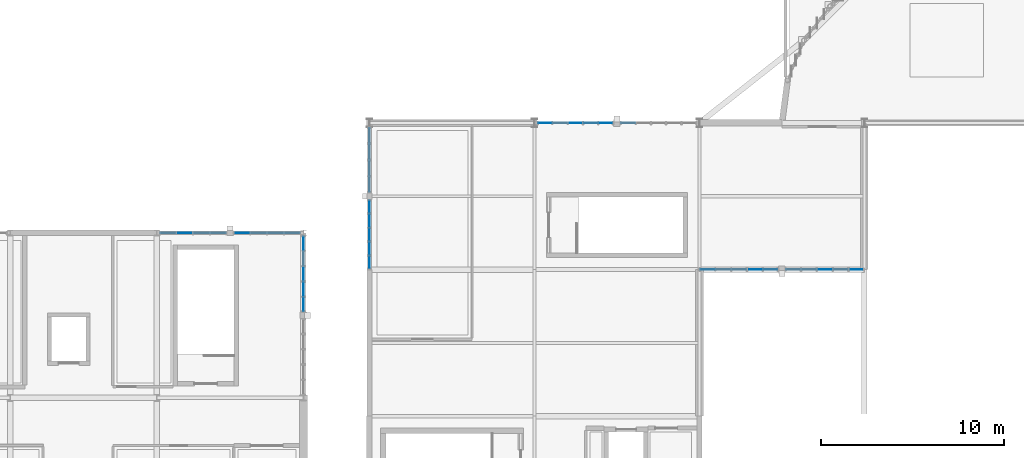
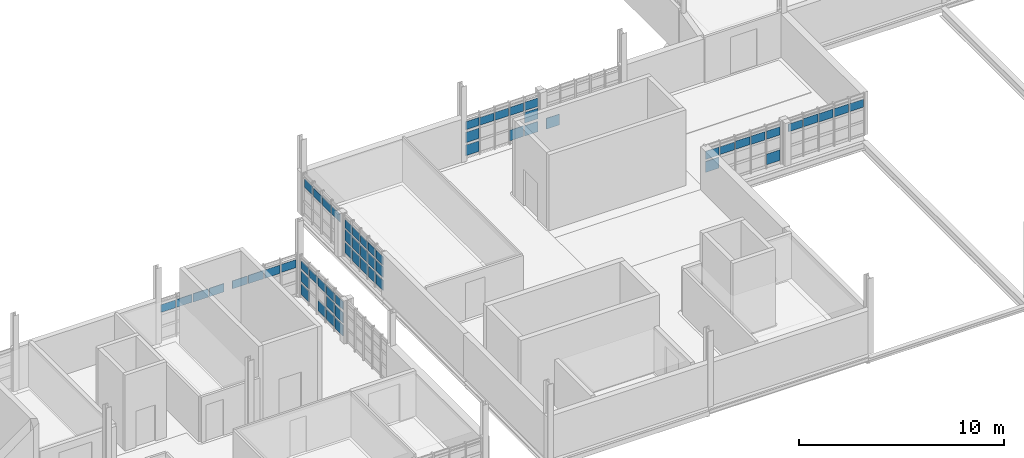
# One storey, part 32 of 44: 62 plates, 9 elements without a shape of their own.
"""IFC4 building model written with IfcOpenShell, lengths in metres."""

from ifc_helpers import new_model, si_unit, direction, frame, origin, origin_2d, place, context, subcontext, project, spatial, rectangle, extrude, material, layer, layer_set, type_object, element, aggregate, save


model = new_model("IFC4")

# Units and contexts
model_context = context("Model", 3, precision=1e-05, world=origin(), true_north=direction((0.0, 1.0)))
body_context = subcontext(model_context, "Body", "Model", "MODEL_VIEW")
ifc_project = project(units=[si_unit("LENGTHUNIT", "METRE"), si_unit("AREAUNIT", "SQUARE_METRE"), si_unit("VOLUMEUNIT", "CUBIC_METRE"), si_unit("PLANEANGLEUNIT", "RADIAN"), si_unit("MASSUNIT", "GRAM", prefix="KILO")], contexts=[model_context])

# Site, building, storey
site_placement = place(None, origin())
site = spatial("IfcSite", under=ifc_project, at=site_placement, CompositionType="ELEMENT")
building_placement = place(site_placement, origin())
building = spatial("IfcBuilding", under=site, at=building_placement, Name="Serraforn Aerial Cableway Station", CompositionType="ELEMENT")
storey_placement = place(building_placement, frame((0.0, 0.0, 13.800048828125)))
storey = spatial("IfcBuildingStorey", under=building, at=storey_placement, Name="L03", CompositionType="ELEMENT", Elevation=13.800048828125)

# Curtain wall, plates
ifc_material_1 = material(Name="Anodised bronze unitised curtain wall")
curtain_wall_type_1 = type_object("IfcCurtainWallType", Name="CW-SYS-18", PredefinedType="USERDEFINED", material=ifc_material_1)
curtain_wall_1_placement = place(storey_placement, origin())
curtain_wall_1 = element("IfcCurtainWall", 1, at=curtain_wall_1_placement, inside=storey, type_object=curtain_wall_type_1, Name="Unitised Curtain Wall CW-W-L03-E2B", ObjectType="UNITISED CURTAIN WALL", PredefinedType="USERDEFINED")
ifc_material_2 = material(Name="Solar-control low-E double glazing", Category="glass")
ifc_layer_1 = layer(ifc_material_2, 0.02587890625)
ifc_layer_set_1 = layer_set([ifc_layer_1], Name="Solar-control low-E double glazing")
plate_type_1 = type_object("IfcPlateType", Name="CW-GLZ-1", PredefinedType="CURTAIN_PANEL", material=ifc_layer_set_1)
plate_1_placement = place(storey_placement, frame((24.0, 32.111083984375, 1.71240234375), z_axis=(0.0, 0.0, 1.0), x_axis=(1.0, 0.0, 0.0)))
plate_1 = element("IfcPlate", 2, at=plate_1_placement, type_object=plate_type_1, Name="Curtain Wall Panel CW-W-L03-E2B-P1-3", PredefinedType="CURTAIN_PANEL", context=body_context, shape_type="SweptSolid", body=[
    extrude(rectangle(XDim=0.02587890625, YDim=0.745849609375, at=origin_2d()), origin(), (0.0, 0.0, 1.0), 0.478515625),
])
plate_2_placement = place(storey_placement, frame((24.0, 32.930419921875, 0.947265625), z_axis=(0.0, 0.0, 1.0), x_axis=(1.0, 0.0, 0.0)))
plate_2 = element("IfcPlate", 3, at=plate_2_placement, type_object=plate_type_1, Name="Curtain Wall Panel CW-W-L03-E2B-P2-2", PredefinedType="CURTAIN_PANEL", context=body_context, shape_type="SweptSolid", body=[
    extrude(rectangle(XDim=0.02587890625, YDim=0.77099609375, at=origin_2d()), origin(), (0.0, 0.0, 1.0), 0.631591796875),
])
plate_3_placement = place(storey_placement, frame((24.0, 33.7646484375, 0.18212890625), z_axis=(0.0, 0.0, 1.0), x_axis=(1.0, 0.0, 0.0)))
plate_3 = element("IfcPlate", 4, at=plate_3_placement, type_object=plate_type_1, Name="Curtain Wall Panel CW-W-L03-E2B-P3-1", PredefinedType="CURTAIN_PANEL", context=body_context, shape_type="SweptSolid", body=[
    extrude(rectangle(XDim=0.02587890625, YDim=0.765869140625, at=origin_2d()), origin(), (0.0, 0.0, 1.0), 0.631591796875),
])

# Curtain wall, plate
curtain_wall_type_2 = type_object("IfcCurtainWallType", Name="CW-SYS-16", PredefinedType="USERDEFINED", material=ifc_material_1)
curtain_wall_2_placement = place(storey_placement, origin())
curtain_wall_2 = element("IfcCurtainWall", 5, at=curtain_wall_2_placement, inside=storey, type_object=curtain_wall_type_2, Name="Unitised Curtain Wall CW-CV-L03-W3B", ObjectType="UNITISED CURTAIN WALL", PredefinedType="USERDEFINED")
plate_4_placement = place(storey_placement, frame((27.60009765625, 37.421875, 0.18212890625), z_axis=(0.0, 0.0, 1.0), x_axis=(1.0, 0.0, 0.0)))
plate_4 = element("IfcPlate", 6, at=plate_4_placement, type_object=plate_type_1, Name="Curtain Wall Panel CW-CV-L03-W3B-P1-1", PredefinedType="CURTAIN_PANEL", context=body_context, shape_type="SweptSolid", body=[
    extrude(rectangle(XDim=0.02587890625, YDim=0.660400390625, at=origin_2d()), origin(), (0.0, 0.0, 1.0), 0.631591796875),
])

curtain_wall_3_placement = place(storey_placement, origin())
curtain_wall_3 = element("IfcCurtainWall", 7, at=curtain_wall_3_placement, inside=storey, type_object=curtain_wall_type_1, Name="Unitised Curtain Wall CW-CV-L03-S3B", ObjectType="UNITISED CURTAIN WALL", PredefinedType="USERDEFINED")
plate_5_placement = place(storey_placement, frame((54.1591796875, 34.0, 1.69775390625), z_axis=(0.0, 0.0, 1.0), x_axis=(1.0, 0.0, 0.0)))
plate_5 = element("IfcPlate", 8, at=plate_5_placement, type_object=plate_type_1, Name="Curtain Wall Panel CW-CV-L03-S3B-P5-3", PredefinedType="CURTAIN_PANEL", context=body_context, shape_type="SweptSolid", body=[
    extrude(rectangle(XDim=0.775390625, YDim=0.02587890625, at=origin_2d()), origin(), (0.0, 0.0, 1.0), 0.473388671875),
])

# Curtain wall, plates
curtain_wall_type_3 = type_object("IfcCurtainWallType", Name="CW-SYS-20", PredefinedType="USERDEFINED", material=ifc_material_1)
curtain_wall_4_placement = place(storey_placement, origin())
curtain_wall_4 = element("IfcCurtainWall", 9, at=curtain_wall_4_placement, inside=storey, type_object=curtain_wall_type_3, Name="Unitised Curtain Wall CW-CV-L03-N2B", ObjectType="UNITISED CURTAIN WALL", PredefinedType="USERDEFINED")
plate_6_placement = place(storey_placement, frame((38.8291015625, 42.0, 1.69775390625), z_axis=(0.0, 0.0, 1.0), x_axis=(1.0, 0.0, 0.0)))
plate_6 = element("IfcPlate", 10, at=plate_6_placement, type_object=plate_type_1, Name="Curtain Wall Panel CW-CV-L03-N2B-P3-3", PredefinedType="CURTAIN_PANEL", context=body_context, shape_type="SweptSolid", body=[
    extrude(rectangle(XDim=0.7734375, YDim=0.02587890625, at=origin_2d()), origin(), (0.0, 0.0, 1.0), 0.473388671875),
])
plate_7_placement = place(storey_placement, frame((37.1826171875, 42.0, 0.16748046875), z_axis=(0.0, 0.0, 1.0), x_axis=(1.0, 0.0, 0.0)))
plate_7 = element("IfcPlate", 11, at=plate_7_placement, type_object=plate_type_1, Name="Curtain Wall Panel CW-CV-L03-N2B-P5-1", PredefinedType="CURTAIN_PANEL", context=body_context, shape_type="SweptSolid", body=[
    extrude(rectangle(XDim=0.743408203125, YDim=0.02587890625, at=origin_2d()), origin(), (0.0, 0.0, 1.0), 0.62646484375),
])

# Plate
ifc_layer_2 = layer(ifc_material_2, 0.028076171875)
ifc_layer_set_2 = layer_set([ifc_layer_2], Name="Solar-control low-E double glazing")
plate_type_2 = type_object("IfcPlateType", Name="CW-GLZ-2", PredefinedType="CURTAIN_PANEL", material=ifc_layer_set_2)
plate_8_placement = place(storey_placement, frame((24.0, 32.930419921875, 1.68505859375), z_axis=(0.0, 0.0, 1.0), x_axis=(1.0, 0.0, 0.0)))
plate_8 = element("IfcPlate", 12, at=plate_8_placement, type_object=plate_type_2, Name="Curtain Wall Panel CW-W-L03-E2B-P2-3", PredefinedType="CURTAIN_PANEL", context=body_context, shape_type="SweptSolid", body=[
    extrude(rectangle(XDim=0.028076171875, YDim=0.77099609375, at=origin_2d()), origin(), (0.0, 0.0, 1.0), 0.5009765625),
])

# Curtain wall, plate
curtain_wall_type_4 = type_object("IfcCurtainWallType", Name="CW-SYS-15", PredefinedType="USERDEFINED", material=ifc_material_1)
curtain_wall_5_placement = place(storey_placement, origin())
curtain_wall_5 = element("IfcCurtainWall", 13, at=curtain_wall_5_placement, inside=storey, type_object=curtain_wall_type_4, Name="Unitised Curtain Wall CW-CV-L03-W3A", ObjectType="UNITISED CURTAIN WALL", PredefinedType="USERDEFINED")
plate_9_placement = place(storey_placement, frame((27.60009765625, 41.3125, 1.68505859375), z_axis=(0.0, 0.0, 1.0), x_axis=(1.0, 0.0, 0.0)))
plate_9 = element("IfcPlate", 14, at=plate_9_placement, type_object=plate_type_2, Name="Curtain Wall Panel CW-CV-L03-W3A-P1-3", PredefinedType="CURTAIN_PANEL", context=body_context, shape_type="SweptSolid", body=[
    extrude(rectangle(XDim=0.028076171875, YDim=0.80322265625, at=origin_2d()), origin(), (0.0, 0.0, 1.0), 0.5009765625),
])

# Plate
plate_10_placement = place(storey_placement, frame((27.60009765625, 37.421875, 0.919921875), z_axis=(0.0, 0.0, 1.0), x_axis=(1.0, 0.0, 0.0)))
plate_10 = element("IfcPlate", 15, at=plate_10_placement, type_object=plate_type_2, Name="Curtain Wall Panel CW-CV-L03-W3B-P1-2", PredefinedType="CURTAIN_PANEL", context=body_context, shape_type="SweptSolid", body=[
    extrude(rectangle(XDim=0.028076171875, YDim=0.660400390625, at=origin_2d()), origin(), (0.0, 0.0, 1.0), 0.654052734375),
])

plate_11_placement = place(storey_placement, frame((27.60009765625, 36.6689453125, 0.15478515625), z_axis=(0.0, 0.0, 1.0), x_axis=(1.0, 0.0, 0.0)))
plate_11 = element("IfcPlate", 16, at=plate_11_placement, type_object=plate_type_2, Name="Curtain Wall Panel CW-CV-L03-W3B-P2-1", PredefinedType="CURTAIN_PANEL", context=body_context, shape_type="SweptSolid", body=[
    extrude(rectangle(XDim=0.028076171875, YDim=0.702880859375, at=origin_2d()), origin(), (0.0, 0.0, 1.0), 0.654052734375),
])

plate_12_placement = place(storey_placement, frame((38.000732421875, 42.0, 1.704833984375), z_axis=(0.0, 0.0, 1.0), x_axis=(1.0, 0.0, 0.0)))
plate_12 = element("IfcPlate", 17, at=plate_12_placement, type_object=plate_type_2, Name="Curtain Wall Panel CW-CV-L03-N2B-P4-3", PredefinedType="CURTAIN_PANEL", context=body_context, shape_type="SweptSolid", body=[
    extrude(rectangle(XDim=0.781005859375, YDim=0.028076171875, at=origin_2d()), origin(), (0.0, 0.0, 1.0), 0.45849609375),
])

plate_13_placement = place(storey_placement, frame((37.1826171875, 42.0, 0.93994140625), z_axis=(0.0, 0.0, 1.0), x_axis=(1.0, 0.0, 0.0)))
plate_13 = element("IfcPlate", 18, at=plate_13_placement, type_object=plate_type_2, Name="Curtain Wall Panel CW-CV-L03-N2B-P5-2", PredefinedType="CURTAIN_PANEL", context=body_context, shape_type="SweptSolid", body=[
    extrude(rectangle(XDim=0.743408203125, YDim=0.028076171875, at=origin_2d()), origin(), (0.0, 0.0, 1.0), 0.611572265625),
])

ifc_layer_3 = layer(ifc_material_2, 0.030029296875)
ifc_layer_set_3 = layer_set([ifc_layer_3], Name="Solar-control low-E double glazing")
plate_type_3 = type_object("IfcPlateType", Name="CW-GLZ-3", PredefinedType="CURTAIN_PANEL", material=ifc_layer_set_3)
plate_14_placement = place(storey_placement, frame((24.0, 33.7646484375, 1.68994140625), z_axis=(0.0, 0.0, 1.0), x_axis=(1.0, 0.0, 0.0)))
plate_14 = element("IfcPlate", 19, at=plate_14_placement, type_object=plate_type_3, Name="Curtain Wall Panel CW-W-L03-E2B-P3-3", PredefinedType="CURTAIN_PANEL", context=body_context, shape_type="SweptSolid", body=[
    extrude(rectangle(XDim=0.030029296875, YDim=0.765869140625, at=origin_2d()), origin(), (0.0, 0.0, 1.0), 0.488525390625),
])

plate_15_placement = place(storey_placement, frame((24.0, 35.41845703125, 0.159912109375), z_axis=(0.0, 0.0, 1.0), x_axis=(1.0, 0.0, 0.0)))
plate_15 = element("IfcPlate", 20, at=plate_15_placement, type_object=plate_type_3, Name="Curtain Wall Panel CW-W-L03-E2B-P5-1", PredefinedType="CURTAIN_PANEL", context=body_context, shape_type="SweptSolid", body=[
    extrude(rectangle(XDim=0.030029296875, YDim=0.7509765625, at=origin_2d()), origin(), (0.0, 0.0, 1.0), 0.6416015625),
])

plate_16_placement = place(storey_placement, frame((27.60009765625, 40.429443359375, 1.68994140625), z_axis=(0.0, 0.0, 1.0), x_axis=(1.0, 0.0, 0.0)))
plate_16 = element("IfcPlate", 21, at=plate_16_placement, type_object=plate_type_3, Name="Curtain Wall Panel CW-CV-L03-W3A-P2-3", PredefinedType="CURTAIN_PANEL", context=body_context, shape_type="SweptSolid", body=[
    extrude(rectangle(XDim=0.030029296875, YDim=0.830810546875, at=origin_2d()), origin(), (0.0, 0.0, 1.0), 0.488525390625),
])

plate_17_placement = place(storey_placement, frame((27.60009765625, 37.421875, 1.68994140625), z_axis=(0.0, 0.0, 1.0), x_axis=(1.0, 0.0, 0.0)))
plate_17 = element("IfcPlate", 22, at=plate_17_placement, type_object=plate_type_3, Name="Curtain Wall Panel CW-CV-L03-W3B-P1-3", PredefinedType="CURTAIN_PANEL", context=body_context, shape_type="SweptSolid", body=[
    extrude(rectangle(XDim=0.030029296875, YDim=0.660400390625, at=origin_2d()), origin(), (0.0, 0.0, 1.0), 0.488525390625),
])

plate_18_placement = place(storey_placement, frame((27.60009765625, 36.6689453125, 0.9248046875), z_axis=(0.0, 0.0, 1.0), x_axis=(1.0, 0.0, 0.0)))
plate_18 = element("IfcPlate", 23, at=plate_18_placement, type_object=plate_type_3, Name="Curtain Wall Panel CW-CV-L03-W3B-P2-2", PredefinedType="CURTAIN_PANEL", context=body_context, shape_type="SweptSolid", body=[
    extrude(rectangle(XDim=0.030029296875, YDim=0.702880859375, at=origin_2d()), origin(), (0.0, 0.0, 1.0), 0.6416015625),
])

plate_19_placement = place(storey_placement, frame((27.60009765625, 35.911376953125, 0.159912109375), z_axis=(0.0, 0.0, 1.0), x_axis=(1.0, 0.0, 0.0)))
plate_19 = element("IfcPlate", 24, at=plate_19_placement, type_object=plate_type_3, Name="Curtain Wall Panel CW-CV-L03-W3B-P3-1", PredefinedType="CURTAIN_PANEL", context=body_context, shape_type="SweptSolid", body=[
    extrude(rectangle(XDim=0.030029296875, YDim=0.71044921875, at=origin_2d()), origin(), (0.0, 0.0, 1.0), 0.6416015625),
])

# Curtain wall, plate
curtain_wall_type_5 = type_object("IfcCurtainWallType", Name="CW-SYS-17", PredefinedType="USERDEFINED", material=ifc_material_1)
curtain_wall_6_placement = place(storey_placement, origin())
curtain_wall_6 = element("IfcCurtainWall", 25, at=curtain_wall_6_placement, inside=storey, type_object=curtain_wall_type_5, Name="Unitised Curtain Wall CW-CV-L03-S3A", ObjectType="UNITISED CURTAIN WALL", PredefinedType="USERDEFINED")
plate_20_placement = place(storey_placement, frame((46.055908203125, 34.0, 0.9248046875), z_axis=(0.0, 0.0, 1.0), x_axis=(1.0, 0.0, 0.0)))
plate_20 = element("IfcPlate", 26, at=plate_20_placement, type_object=plate_type_3, Name="Curtain Wall Panel CW-CV-L03-S3A-P1-2", PredefinedType="CURTAIN_PANEL", context=body_context, shape_type="SweptSolid", body=[
    extrude(rectangle(XDim=0.765380859375, YDim=0.030029296875, at=origin_2d()), origin(), (0.0, 0.0, 1.0), 0.6416015625),
])

# Plate
plate_21_placement = place(storey_placement, frame((37.1826171875, 42.0, 1.71240234375), z_axis=(0.0, 0.0, 1.0), x_axis=(1.0, 0.0, 0.0)))
plate_21 = element("IfcPlate", 27, at=plate_21_placement, type_object=plate_type_3, Name="Curtain Wall Panel CW-CV-L03-N2B-P5-3", PredefinedType="CURTAIN_PANEL", context=body_context, shape_type="SweptSolid", body=[
    extrude(rectangle(XDim=0.743408203125, YDim=0.030029296875, at=origin_2d()), origin(), (0.0, 0.0, 1.0), 0.478515625),
])

# Curtain wall, plate
curtain_wall_type_6 = type_object("IfcCurtainWallType", Name="CW-SYS-13", PredefinedType="USERDEFINED", material=ifc_material_1)
curtain_wall_7_placement = place(storey_placement, origin())
curtain_wall_7 = element("IfcCurtainWall", 28, at=curtain_wall_7_placement, inside=storey, type_object=curtain_wall_type_6, Name="Unitised Curtain Wall CW-W-L03-N3A", ObjectType="UNITISED CURTAIN WALL", PredefinedType="USERDEFINED")
ifc_layer_4 = layer(ifc_material_2, 0.031982421875)
ifc_layer_set_4 = layer_set([ifc_layer_4], Name="Solar-control low-E double glazing")
plate_type_4 = type_object("IfcPlateType", Name="CW-GLZ-4", PredefinedType="CURTAIN_PANEL", material=ifc_layer_set_4)
plate_22_placement = place(storey_placement, frame((23.379150390625, 36.0, 1.71240234375), z_axis=(0.0, 0.0, 1.0), x_axis=(1.0, 0.0, 0.0)))
plate_22 = element("IfcPlate", 29, at=plate_22_placement, type_object=plate_type_4, Name="Curtain Wall Panel CW-W-L03-N3A-P1-3", PredefinedType="CURTAIN_PANEL", context=body_context, shape_type="SweptSolid", body=[
    extrude(rectangle(XDim=0.82958984375, YDim=0.031982421875, at=origin_2d()), origin(), (0.0, 0.0, 1.0), 0.478515625),
])

# Plate
plate_23_placement = place(storey_placement, frame((24.0, 34.60546875, 1.69775390625), z_axis=(0.0, 0.0, 1.0), x_axis=(1.0, 0.0, 0.0)))
plate_23 = element("IfcPlate", 30, at=plate_23_placement, type_object=plate_type_4, Name="Curtain Wall Panel CW-W-L03-E2B-P4-3", PredefinedType="CURTAIN_PANEL", context=body_context, shape_type="SweptSolid", body=[
    extrude(rectangle(XDim=0.031982421875, YDim=0.7734375, at=origin_2d()), origin(), (0.0, 0.0, 1.0), 0.473388671875),
])

plate_24_placement = place(storey_placement, frame((24.0, 35.41845703125, 0.9326171875), z_axis=(0.0, 0.0, 1.0), x_axis=(1.0, 0.0, 0.0)))
plate_24 = element("IfcPlate", 31, at=plate_24_placement, type_object=plate_type_4, Name="Curtain Wall Panel CW-W-L03-E2B-P5-2", PredefinedType="CURTAIN_PANEL", context=body_context, shape_type="SweptSolid", body=[
    extrude(rectangle(XDim=0.031982421875, YDim=0.7509765625, at=origin_2d()), origin(), (0.0, 0.0, 1.0), 0.62646484375),
])

plate_25_placement = place(storey_placement, frame((27.60009765625, 39.52392578125, 1.69775390625), z_axis=(0.0, 0.0, 1.0), x_axis=(1.0, 0.0, 0.0)))
plate_25 = element("IfcPlate", 32, at=plate_25_placement, type_object=plate_type_4, Name="Curtain Wall Panel CW-CV-L03-W3A-P3-3", PredefinedType="CURTAIN_PANEL", context=body_context, shape_type="SweptSolid", body=[
    extrude(rectangle(XDim=0.031982421875, YDim=0.83837890625, at=origin_2d()), origin(), (0.0, 0.0, 1.0), 0.473388671875),
])

plate_26_placement = place(storey_placement, frame((27.60009765625, 36.6689453125, 1.69775390625), z_axis=(0.0, 0.0, 1.0), x_axis=(1.0, 0.0, 0.0)))
plate_26 = element("IfcPlate", 33, at=plate_26_placement, type_object=plate_type_4, Name="Curtain Wall Panel CW-CV-L03-W3B-P2-3", PredefinedType="CURTAIN_PANEL", context=body_context, shape_type="SweptSolid", body=[
    extrude(rectangle(XDim=0.031982421875, YDim=0.702880859375, at=origin_2d()), origin(), (0.0, 0.0, 1.0), 0.473388671875),
])

plate_27_placement = place(storey_placement, frame((27.60009765625, 35.911376953125, 0.9326171875), z_axis=(0.0, 0.0, 1.0), x_axis=(1.0, 0.0, 0.0)))
plate_27 = element("IfcPlate", 34, at=plate_27_placement, type_object=plate_type_4, Name="Curtain Wall Panel CW-CV-L03-W3B-P3-2", PredefinedType="CURTAIN_PANEL", context=body_context, shape_type="SweptSolid", body=[
    extrude(rectangle(XDim=0.031982421875, YDim=0.71044921875, at=origin_2d()), origin(), (0.0, 0.0, 1.0), 0.62646484375),
])

plate_28_placement = place(storey_placement, frame((27.60009765625, 35.147216796875, 0.16748046875), z_axis=(0.0, 0.0, 1.0), x_axis=(1.0, 0.0, 0.0)))
plate_28 = element("IfcPlate", 35, at=plate_28_placement, type_object=plate_type_4, Name="Curtain Wall Panel CW-CV-L03-W3B-P4-1", PredefinedType="CURTAIN_PANEL", context=body_context, shape_type="SweptSolid", body=[
    extrude(rectangle(XDim=0.031982421875, YDim=0.70556640625, at=origin_2d()), origin(), (0.0, 0.0, 1.0), 0.62646484375),
])

plate_29_placement = place(storey_placement, frame((46.055908203125, 34.0, 1.69775390625), z_axis=(0.0, 0.0, 1.0), x_axis=(1.0, 0.0, 0.0)))
plate_29 = element("IfcPlate", 36, at=plate_29_placement, type_object=plate_type_4, Name="Curtain Wall Panel CW-CV-L03-S3A-P1-3", PredefinedType="CURTAIN_PANEL", context=body_context, shape_type="SweptSolid", body=[
    extrude(rectangle(XDim=0.765380859375, YDim=0.031982421875, at=origin_2d()), origin(), (0.0, 0.0, 1.0), 0.473388671875),
])

ifc_layer_5 = layer(ifc_material_2, 0.033935546875)
ifc_layer_set_5 = layer_set([ifc_layer_5], Name="Solar-control low-E double glazing")
plate_type_5 = type_object("IfcPlateType", Name="CW-GLZ-5", PredefinedType="CURTAIN_PANEL", material=ifc_layer_set_5)
plate_30_placement = place(storey_placement, frame((22.476318359375, 36.0, 1.68505859375), z_axis=(0.0, 0.0, 1.0), x_axis=(1.0, 0.0, 0.0)))
plate_30 = element("IfcPlate", 37, at=plate_30_placement, type_object=plate_type_5, Name="Curtain Wall Panel CW-W-L03-N3A-P2-3", PredefinedType="CURTAIN_PANEL", context=body_context, shape_type="SweptSolid", body=[
    extrude(rectangle(XDim=0.8544921875, YDim=0.033935546875, at=origin_2d()), origin(), (0.0, 0.0, 1.0), 0.5009765625),
])

# Curtain wall, plate
curtain_wall_type_7 = type_object("IfcCurtainWallType", Name="CW-SYS-14", PredefinedType="USERDEFINED", material=ifc_material_1)
curtain_wall_8_placement = place(storey_placement, origin())
curtain_wall_8 = element("IfcCurtainWall", 38, at=curtain_wall_8_placement, inside=storey, type_object=curtain_wall_type_7, Name="Unitised Curtain Wall CW-W-L03-N3B", ObjectType="UNITISED CURTAIN WALL", PredefinedType="USERDEFINED")
plate_31_placement = place(storey_placement, frame((19.345947265625, 36.0, 1.68505859375), z_axis=(0.0, 0.0, 1.0), x_axis=(1.0, 0.0, 0.0)))
plate_31 = element("IfcPlate", 39, at=plate_31_placement, type_object=plate_type_5, Name="Curtain Wall Panel CW-W-L03-N3B-P1-3", PredefinedType="CURTAIN_PANEL", context=body_context, shape_type="SweptSolid", body=[
    extrude(rectangle(XDim=0.822021484375, YDim=0.033935546875, at=origin_2d()), origin(), (0.0, 0.0, 1.0), 0.5009765625),
])

# Plate
plate_32_placement = place(storey_placement, frame((24.0, 35.41845703125, 1.704833984375), z_axis=(0.0, 0.0, 1.0), x_axis=(1.0, 0.0, 0.0)))
plate_32 = element("IfcPlate", 40, at=plate_32_placement, type_object=plate_type_5, Name="Curtain Wall Panel CW-W-L03-E2B-P5-3", PredefinedType="CURTAIN_PANEL", context=body_context, shape_type="SweptSolid", body=[
    extrude(rectangle(XDim=0.033935546875, YDim=0.7509765625, at=origin_2d()), origin(), (0.0, 0.0, 1.0), 0.45849609375),
])

plate_33_placement = place(storey_placement, frame((27.60009765625, 38.64599609375, 1.704833984375), z_axis=(0.0, 0.0, 1.0), x_axis=(1.0, 0.0, 0.0)))
plate_33 = element("IfcPlate", 41, at=plate_33_placement, type_object=plate_type_5, Name="Curtain Wall Panel CW-CV-L03-W3A-P4-3", PredefinedType="CURTAIN_PANEL", context=body_context, shape_type="SweptSolid", body=[
    extrude(rectangle(XDim=0.033935546875, YDim=0.81591796875, at=origin_2d()), origin(), (0.0, 0.0, 1.0), 0.45849609375),
])

aggregate(curtain_wall_5, [plate_9, plate_16, plate_25, plate_33])

plate_34_placement = place(storey_placement, frame((27.60009765625, 35.911376953125, 1.704833984375), z_axis=(0.0, 0.0, 1.0), x_axis=(1.0, 0.0, 0.0)))
plate_34 = element("IfcPlate", 42, at=plate_34_placement, type_object=plate_type_5, Name="Curtain Wall Panel CW-CV-L03-W3B-P3-3", PredefinedType="CURTAIN_PANEL", context=body_context, shape_type="SweptSolid", body=[
    extrude(rectangle(XDim=0.033935546875, YDim=0.71044921875, at=origin_2d()), origin(), (0.0, 0.0, 1.0), 0.45849609375),
])

plate_35_placement = place(storey_placement, frame((27.60009765625, 35.147216796875, 0.93994140625), z_axis=(0.0, 0.0, 1.0), x_axis=(1.0, 0.0, 0.0)))
plate_35 = element("IfcPlate", 43, at=plate_35_placement, type_object=plate_type_5, Name="Curtain Wall Panel CW-CV-L03-W3B-P4-2", PredefinedType="CURTAIN_PANEL", context=body_context, shape_type="SweptSolid", body=[
    extrude(rectangle(XDim=0.033935546875, YDim=0.70556640625, at=origin_2d()), origin(), (0.0, 0.0, 1.0), 0.611572265625),
])

plate_36_placement = place(storey_placement, frame((27.60009765625, 34.40087890625, 0.1748046875), z_axis=(0.0, 0.0, 1.0), x_axis=(1.0, 0.0, 0.0)))
plate_36 = element("IfcPlate", 44, at=plate_36_placement, type_object=plate_type_5, Name="Curtain Wall Panel CW-CV-L03-W3B-P5-1", PredefinedType="CURTAIN_PANEL", context=body_context, shape_type="SweptSolid", body=[
    extrude(rectangle(XDim=0.033935546875, YDim=0.66552734375, at=origin_2d()), origin(), (0.0, 0.0, 1.0), 0.611572265625),
])

plate_37_placement = place(storey_placement, frame((46.894775390625, 34.0, 1.704833984375), z_axis=(0.0, 0.0, 1.0), x_axis=(1.0, 0.0, 0.0)))
plate_37 = element("IfcPlate", 45, at=plate_37_placement, type_object=plate_type_5, Name="Curtain Wall Panel CW-CV-L03-S3A-P2-3", PredefinedType="CURTAIN_PANEL", context=body_context, shape_type="SweptSolid", body=[
    extrude(rectangle(XDim=0.810546875, YDim=0.033935546875, at=origin_2d()), origin(), (0.0, 0.0, 1.0), 0.45849609375),
])

plate_38_placement = place(storey_placement, frame((50.724609375, 34.0, 1.704833984375), z_axis=(0.0, 0.0, 1.0), x_axis=(1.0, 0.0, 0.0)))
plate_38 = element("IfcPlate", 46, at=plate_38_placement, type_object=plate_type_5, Name="Curtain Wall Panel CW-CV-L03-S3B-P1-3", PredefinedType="CURTAIN_PANEL", context=body_context, shape_type="SweptSolid", body=[
    extrude(rectangle(XDim=0.782958984375, YDim=0.033935546875, at=origin_2d()), origin(), (0.0, 0.0, 1.0), 0.45849609375),
])

plate_39_placement = place(storey_placement, frame((40.48779296875, 42.0, 0.1748046875), z_axis=(0.0, 0.0, 1.0), x_axis=(1.0, 0.0, 0.0)))
plate_39 = element("IfcPlate", 47, at=plate_39_placement, type_object=plate_type_5, Name="Curtain Wall Panel CW-CV-L03-N2B-P1-1", PredefinedType="CURTAIN_PANEL", context=body_context, shape_type="SweptSolid", body=[
    extrude(rectangle(XDim=0.73828125, YDim=0.033935546875, at=origin_2d()), origin(), (0.0, 0.0, 1.0), 0.611572265625),
])

ifc_layer_6 = layer(ifc_material_2, 0.035888671875)
ifc_layer_set_6 = layer_set([ifc_layer_6], Name="Solar-control low-E double glazing")
plate_type_6 = type_object("IfcPlateType", Name="CW-GLZ-6", PredefinedType="CURTAIN_PANEL", material=ifc_layer_set_6)
plate_40_placement = place(storey_placement, frame((21.558349609375, 36.0, 1.68994140625), z_axis=(0.0, 0.0, 1.0), x_axis=(1.0, 0.0, 0.0)))
plate_40 = element("IfcPlate", 48, at=plate_40_placement, type_object=plate_type_6, Name="Curtain Wall Panel CW-W-L03-N3A-P3-3", PredefinedType="CURTAIN_PANEL", context=body_context, shape_type="SweptSolid", body=[
    extrude(rectangle(XDim=0.849609375, YDim=0.035888671875, at=origin_2d()), origin(), (0.0, 0.0, 1.0), 0.488525390625),
])

plate_41_placement = place(storey_placement, frame((18.4443359375, 36.0, 1.68994140625), z_axis=(0.0, 0.0, 1.0), x_axis=(1.0, 0.0, 0.0)))
plate_41 = element("IfcPlate", 49, at=plate_41_placement, type_object=plate_type_6, Name="Curtain Wall Panel CW-W-L03-N3B-P2-3", PredefinedType="CURTAIN_PANEL", context=body_context, shape_type="SweptSolid", body=[
    extrude(rectangle(XDim=0.849609375, YDim=0.035888671875, at=origin_2d()), origin(), (0.0, 0.0, 1.0), 0.488525390625),
])

plate_42_placement = place(storey_placement, frame((27.60009765625, 35.147216796875, 1.71240234375), z_axis=(0.0, 0.0, 1.0), x_axis=(1.0, 0.0, 0.0)))
plate_42 = element("IfcPlate", 50, at=plate_42_placement, type_object=plate_type_6, Name="Curtain Wall Panel CW-CV-L03-W3B-P4-3", PredefinedType="CURTAIN_PANEL", context=body_context, shape_type="SweptSolid", body=[
    extrude(rectangle(XDim=0.035888671875, YDim=0.70556640625, at=origin_2d()), origin(), (0.0, 0.0, 1.0), 0.478515625),
])

plate_43_placement = place(storey_placement, frame((27.60009765625, 34.40087890625, 0.947265625), z_axis=(0.0, 0.0, 1.0), x_axis=(1.0, 0.0, 0.0)))
plate_43 = element("IfcPlate", 51, at=plate_43_placement, type_object=plate_type_6, Name="Curtain Wall Panel CW-CV-L03-W3B-P5-2", PredefinedType="CURTAIN_PANEL", context=body_context, shape_type="SweptSolid", body=[
    extrude(rectangle(XDim=0.035888671875, YDim=0.66552734375, at=origin_2d()), origin(), (0.0, 0.0, 1.0), 0.631591796875),
])

plate_44_placement = place(storey_placement, frame((47.7587890625, 34.0, 1.71240234375), z_axis=(0.0, 0.0, 1.0), x_axis=(1.0, 0.0, 0.0)))
plate_44 = element("IfcPlate", 52, at=plate_44_placement, type_object=plate_type_6, Name="Curtain Wall Panel CW-CV-L03-S3A-P3-3", PredefinedType="CURTAIN_PANEL", context=body_context, shape_type="SweptSolid", body=[
    extrude(rectangle(XDim=0.805419921875, YDim=0.035888671875, at=origin_2d()), origin(), (0.0, 0.0, 1.0), 0.478515625),
])

plate_45_placement = place(storey_placement, frame((49.468017578125, 34.0, 0.18212890625), z_axis=(0.0, 0.0, 1.0), x_axis=(1.0, 0.0, 0.0)))
plate_45 = element("IfcPlate", 53, at=plate_45_placement, type_object=plate_type_6, Name="Curtain Wall Panel CW-CV-L03-S3A-P5-1", PredefinedType="CURTAIN_PANEL", context=body_context, shape_type="SweptSolid", body=[
    extrude(rectangle(XDim=0.758056640625, YDim=0.035888671875, at=origin_2d()), origin(), (0.0, 0.0, 1.0), 0.631591796875),
])

plate_46_placement = place(storey_placement, frame((51.57470703125, 34.0, 1.71240234375), z_axis=(0.0, 0.0, 1.0), x_axis=(1.0, 0.0, 0.0)))
plate_46 = element("IfcPlate", 54, at=plate_46_placement, type_object=plate_type_6, Name="Curtain Wall Panel CW-CV-L03-S3B-P2-3", PredefinedType="CURTAIN_PANEL", context=body_context, shape_type="SweptSolid", body=[
    extrude(rectangle(XDim=0.805419921875, YDim=0.035888671875, at=origin_2d()), origin(), (0.0, 0.0, 1.0), 0.478515625),
])

plate_47_placement = place(storey_placement, frame((40.48779296875, 42.0, 0.947265625), z_axis=(0.0, 0.0, 1.0), x_axis=(1.0, 0.0, 0.0)))
plate_47 = element("IfcPlate", 55, at=plate_47_placement, type_object=plate_type_6, Name="Curtain Wall Panel CW-CV-L03-N2B-P1-2", PredefinedType="CURTAIN_PANEL", context=body_context, shape_type="SweptSolid", body=[
    extrude(rectangle(XDim=0.73828125, YDim=0.035888671875, at=origin_2d()), origin(), (0.0, 0.0, 1.0), 0.631591796875),
])

plate_48_placement = place(storey_placement, frame((39.669677734375, 42.0, 0.18212890625), z_axis=(0.0, 0.0, 1.0), x_axis=(1.0, 0.0, 0.0)))
plate_48 = element("IfcPlate", 56, at=plate_48_placement, type_object=plate_type_6, Name="Curtain Wall Panel CW-CV-L03-N2B-P2-1", PredefinedType="CURTAIN_PANEL", context=body_context, shape_type="SweptSolid", body=[
    extrude(rectangle(XDim=0.765869140625, YDim=0.035888671875, at=origin_2d()), origin(), (0.0, 0.0, 1.0), 0.631591796875),
])

ifc_layer_7 = layer(ifc_material_2, 0.029052734375)
ifc_layer_set_7 = layer_set([ifc_layer_7], Name="Solar-control low-E double glazing")
plate_type_7 = type_object("IfcPlateType", Name="CW-GLZ-7", PredefinedType="CURTAIN_PANEL", material=ifc_layer_set_7)
plate_49_placement = place(storey_placement, frame((20.647705078125, 36.0, 1.69775390625), z_axis=(0.0, 0.0, 1.0), x_axis=(1.0, 0.0, 0.0)))
plate_49 = element("IfcPlate", 57, at=plate_49_placement, type_object=plate_type_7, Name="Curtain Wall Panel CW-W-L03-N3A-P4-3", PredefinedType="CURTAIN_PANEL", context=body_context, shape_type="SweptSolid", body=[
    extrude(rectangle(XDim=0.82958984375, YDim=0.029052734375, at=origin_2d()), origin(), (0.0, 0.0, 1.0), 0.473388671875),
])

aggregate(curtain_wall_7, [plate_22, plate_30, plate_40, plate_49])

plate_50_placement = place(storey_placement, frame((17.52001953125, 36.0, 1.69775390625), z_axis=(0.0, 0.0, 1.0), x_axis=(1.0, 0.0, 0.0)))
plate_50 = element("IfcPlate", 58, at=plate_50_placement, type_object=plate_type_7, Name="Curtain Wall Panel CW-W-L03-N3B-P3-3", PredefinedType="CURTAIN_PANEL", context=body_context, shape_type="SweptSolid", body=[
    extrude(rectangle(XDim=0.85693359375, YDim=0.029052734375, at=origin_2d()), origin(), (0.0, 0.0, 1.0), 0.473388671875),
])

plate_51_placement = place(storey_placement, frame((24.0, 32.111083984375, 0.16748046875), z_axis=(0.0, 0.0, 1.0), x_axis=(1.0, 0.0, 0.0)))
plate_51 = element("IfcPlate", 59, at=plate_51_placement, type_object=plate_type_7, Name="Curtain Wall Panel CW-W-L03-E2B-P1-1", PredefinedType="CURTAIN_PANEL", context=body_context, shape_type="SweptSolid", body=[
    extrude(rectangle(XDim=0.029052734375, YDim=0.745849609375, at=origin_2d()), origin(), (0.0, 0.0, 1.0), 0.62646484375),
])

plate_52_placement = place(storey_placement, frame((27.60009765625, 34.40087890625, 1.68505859375), z_axis=(0.0, 0.0, 1.0), x_axis=(1.0, 0.0, 0.0)))
plate_52 = element("IfcPlate", 60, at=plate_52_placement, type_object=plate_type_7, Name="Curtain Wall Panel CW-CV-L03-W3B-P5-3", PredefinedType="CURTAIN_PANEL", context=body_context, shape_type="SweptSolid", body=[
    extrude(rectangle(XDim=0.029052734375, YDim=0.66552734375, at=origin_2d()), origin(), (0.0, 0.0, 1.0), 0.5009765625),
])

aggregate(curtain_wall_2, [plate_4, plate_10, plate_17, plate_11, plate_18, plate_26, plate_19, plate_27, plate_34, plate_28, plate_35, plate_42, plate_36, plate_43, plate_52])

plate_53_placement = place(storey_placement, frame((48.622802734375, 34.0, 1.68505859375), z_axis=(0.0, 0.0, 1.0), x_axis=(1.0, 0.0, 0.0)))
plate_53 = element("IfcPlate", 61, at=plate_53_placement, type_object=plate_type_7, Name="Curtain Wall Panel CW-CV-L03-S3A-P4-3", PredefinedType="CURTAIN_PANEL", context=body_context, shape_type="SweptSolid", body=[
    extrude(rectangle(XDim=0.800537109375, YDim=0.029052734375, at=origin_2d()), origin(), (0.0, 0.0, 1.0), 0.5009765625),
])

plate_54_placement = place(storey_placement, frame((52.438720703125, 34.0, 1.68505859375), z_axis=(0.0, 0.0, 1.0), x_axis=(1.0, 0.0, 0.0)))
plate_54 = element("IfcPlate", 62, at=plate_54_placement, type_object=plate_type_7, Name="Curtain Wall Panel CW-CV-L03-S3B-P3-3", PredefinedType="CURTAIN_PANEL", context=body_context, shape_type="SweptSolid", body=[
    extrude(rectangle(XDim=0.800537109375, YDim=0.029052734375, at=origin_2d()), origin(), (0.0, 0.0, 1.0), 0.5009765625),
])

plate_55_placement = place(storey_placement, frame((40.48779296875, 42.0, 1.68505859375), z_axis=(0.0, 0.0, 1.0), x_axis=(1.0, 0.0, 0.0)))
plate_55 = element("IfcPlate", 63, at=plate_55_placement, type_object=plate_type_7, Name="Curtain Wall Panel CW-CV-L03-N2B-P1-3", PredefinedType="CURTAIN_PANEL", context=body_context, shape_type="SweptSolid", body=[
    extrude(rectangle(XDim=0.73828125, YDim=0.029052734375, at=origin_2d()), origin(), (0.0, 0.0, 1.0), 0.5009765625),
])

ifc_layer_8 = layer(ifc_material_2, 0.031005859375)
ifc_layer_set_8 = layer_set([ifc_layer_8], Name="Solar-control low-E double glazing")
plate_type_8 = type_object("IfcPlateType", Name="CW-GLZ-8", PredefinedType="CURTAIN_PANEL", material=ifc_layer_set_8)
plate_56_placement = place(storey_placement, frame((16.623291015625, 36.0, 1.704833984375), z_axis=(0.0, 0.0, 1.0), x_axis=(1.0, 0.0, 0.0)))
plate_56 = element("IfcPlate", 64, at=plate_56_placement, type_object=plate_type_8, Name="Curtain Wall Panel CW-W-L03-N3B-P4-3", PredefinedType="CURTAIN_PANEL", context=body_context, shape_type="SweptSolid", body=[
    extrude(rectangle(XDim=0.83447265625, YDim=0.031005859375, at=origin_2d()), origin(), (0.0, 0.0, 1.0), 0.45849609375),
])

aggregate(curtain_wall_8, [plate_31, plate_41, plate_50, plate_56])

plate_57_placement = place(storey_placement, frame((24.0, 32.111083984375, 0.93994140625), z_axis=(0.0, 0.0, 1.0), x_axis=(1.0, 0.0, 0.0)))
plate_57 = element("IfcPlate", 65, at=plate_57_placement, type_object=plate_type_8, Name="Curtain Wall Panel CW-W-L03-E2B-P1-2", PredefinedType="CURTAIN_PANEL", context=body_context, shape_type="SweptSolid", body=[
    extrude(rectangle(XDim=0.031005859375, YDim=0.745849609375, at=origin_2d()), origin(), (0.0, 0.0, 1.0), 0.611572265625),
])

plate_58_placement = place(storey_placement, frame((24.0, 32.930419921875, 0.1748046875), z_axis=(0.0, 0.0, 1.0), x_axis=(1.0, 0.0, 0.0)))
plate_58 = element("IfcPlate", 66, at=plate_58_placement, type_object=plate_type_8, Name="Curtain Wall Panel CW-W-L03-E2B-P2-1", PredefinedType="CURTAIN_PANEL", context=body_context, shape_type="SweptSolid", body=[
    extrude(rectangle(XDim=0.031005859375, YDim=0.77099609375, at=origin_2d()), origin(), (0.0, 0.0, 1.0), 0.611572265625),
])

aggregate(curtain_wall_1, [plate_51, plate_57, plate_1, plate_58, plate_2, plate_8, plate_3, plate_14, plate_23, plate_15, plate_24, plate_32])

plate_59_placement = place(storey_placement, frame((49.468017578125, 34.0, 1.68994140625), z_axis=(0.0, 0.0, 1.0), x_axis=(1.0, 0.0, 0.0)))
plate_59 = element("IfcPlate", 67, at=plate_59_placement, type_object=plate_type_8, Name="Curtain Wall Panel CW-CV-L03-S3A-P5-3", PredefinedType="CURTAIN_PANEL", context=body_context, shape_type="SweptSolid", body=[
    extrude(rectangle(XDim=0.758056640625, YDim=0.031005859375, at=origin_2d()), origin(), (0.0, 0.0, 1.0), 0.488525390625),
])

aggregate(curtain_wall_6, [plate_20, plate_29, plate_37, plate_44, plate_53, plate_45, plate_59])

plate_60_placement = place(storey_placement, frame((53.302734375, 34.0, 1.68994140625), z_axis=(0.0, 0.0, 1.0), x_axis=(1.0, 0.0, 0.0)))
plate_60 = element("IfcPlate", 68, at=plate_60_placement, type_object=plate_type_8, Name="Curtain Wall Panel CW-CV-L03-S3B-P4-3", PredefinedType="CURTAIN_PANEL", context=body_context, shape_type="SweptSolid", body=[
    extrude(rectangle(XDim=0.79541015625, YDim=0.031005859375, at=origin_2d()), origin(), (0.0, 0.0, 1.0), 0.488525390625),
])

aggregate(curtain_wall_3, [plate_38, plate_46, plate_54, plate_60, plate_5])

# Curtain wall, plate
curtain_wall_type_8 = type_object("IfcCurtainWallType", Name="CW-SYS-19", PredefinedType="USERDEFINED", material=ifc_material_1)
curtain_wall_9_placement = place(storey_placement, origin())
curtain_wall_9 = element("IfcCurtainWall", 69, at=curtain_wall_9_placement, inside=storey, type_object=curtain_wall_type_8, Name="Unitised Curtain Wall CW-CV-L03-N2A", ObjectType="UNITISED CURTAIN WALL", PredefinedType="USERDEFINED")
plate_61_placement = place(storey_placement, frame((41.71337890625, 42.0, 0.159912109375), z_axis=(0.0, 0.0, 1.0), x_axis=(1.0, 0.0, 0.0)))
plate_61 = element("IfcPlate", 70, at=plate_61_placement, type_object=plate_type_8, Name="Curtain Wall Panel CW-CV-L03-N2A-P5-1", PredefinedType="CURTAIN_PANEL", context=body_context, shape_type="SweptSolid", body=[
    extrude(rectangle(XDim=0.7509765625, YDim=0.031005859375, at=origin_2d()), origin(), (0.0, 0.0, 1.0), 0.6416015625),
])
aggregate(curtain_wall_9, [plate_61])

# Plate
plate_62_placement = place(storey_placement, frame((39.669677734375, 42.0, 1.68994140625), z_axis=(0.0, 0.0, 1.0), x_axis=(1.0, 0.0, 0.0)))
plate_62 = element("IfcPlate", 71, at=plate_62_placement, type_object=plate_type_8, Name="Curtain Wall Panel CW-CV-L03-N2B-P2-3", PredefinedType="CURTAIN_PANEL", context=body_context, shape_type="SweptSolid", body=[
    extrude(rectangle(XDim=0.765869140625, YDim=0.031005859375, at=origin_2d()), origin(), (0.0, 0.0, 1.0), 0.488525390625),
])

aggregate(curtain_wall_4, [plate_39, plate_47, plate_55, plate_48, plate_62, plate_6, plate_12, plate_7, plate_13, plate_21])

save(model, "model.ifc")
